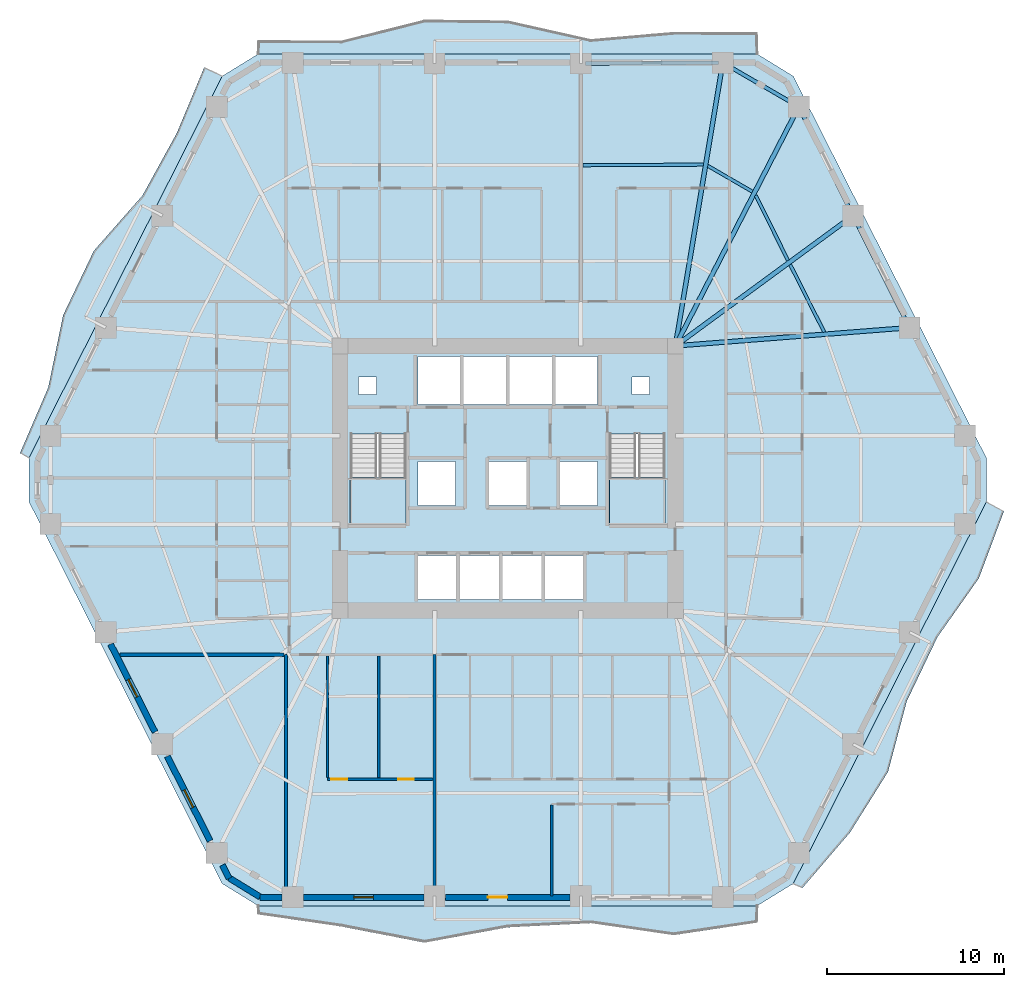
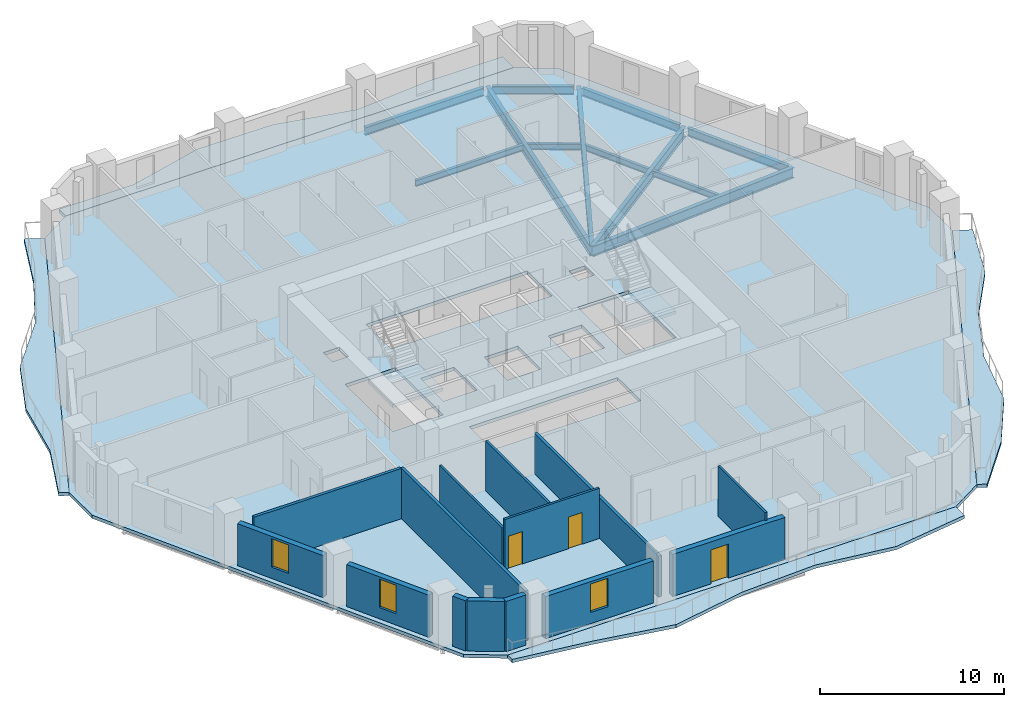
# One storey, part 3 of 12: 14 walls, 12 beams, 7 slabs, 3 doors, 3 windows, 6 openings, 2 elements without a shape of their own.
"""IFC4 building model written with IfcOpenShell, lengths in metres."""

from ifc_helpers import new_model, si_unit, direction, frame, frame_2d, origin, origin_2d, place, context, subcontext, project, spatial, polyline, rectangle, i_section, outline, extrude, material, layer, layer_set, material_profile, profile_set, type_object, element, fill, aggregate, save


model = new_model("IFC4")

# Units and contexts
model_context = context("Model", 3, precision=1e-05, world=origin(), true_north=direction((0.0, 1.0)))
body_context = subcontext(model_context, "Body", "Model", "MODEL_VIEW")
ifc_project = project(units=[si_unit("LENGTHUNIT", "METRE"), si_unit("AREAUNIT", "SQUARE_METRE"), si_unit("VOLUMEUNIT", "CUBIC_METRE"), si_unit("PLANEANGLEUNIT", "RADIAN"), si_unit("MASSUNIT", "GRAM", prefix="KILO")], contexts=[model_context])

# Site, building, storey
site_placement = place(None, origin())
site = spatial("IfcSite", under=ifc_project, at=site_placement, CompositionType="ELEMENT")
building_placement = place(site_placement, origin())
building = spatial("IfcBuilding", under=site, at=building_placement, Name="Cinnabar Lancet Tower", CompositionType="ELEMENT")
storey_placement = place(building_placement, frame((0.0, 0.0, 28.449951171875)))
storey = spatial("IfcBuildingStorey", under=building, at=storey_placement, Name="L06", CompositionType="ELEMENT", Elevation=28.449951171875)

# Beams
ifc_material_1 = material(Name="Structural steel S355", Category="steel")
ifc_material_profile_1 = material_profile(ifc_material_1, i_section(OverallWidth=0.177978515625, OverallDepth=0.406494140625, WebThickness=0.0078125, FlangeThickness=0.0126953125, FilletRadius=0.01025390625, at=origin_2d()), Name="UKB 406x178x60")
ifc_profile_set_1 = profile_set([ifc_material_profile_1], Name="Structural steel S355")
beam_type_1 = type_object("IfcBeamType", Name="STR-BM-JST-406", PredefinedType="JOIST", material=ifc_profile_set_1)
beam_1_placement = place(storey_placement, frame((50.23388671875, 34.132080078125, -0.4228515625), z_axis=(-0.450856172856, 0.8925966118, 0.0), x_axis=(-0.8925966118, -0.450856172856, 0.0)))
element("IfcBeam", 1, at=beam_1_placement, inside=storey, type_object=beam_type_1, Name="L06 Secondary Floor Joist 27", PredefinedType="JOIST", context=body_context, shape_type="SweptSolid", body=[
    extrude(i_section(OverallWidth=0.177978515625, OverallDepth=0.406494140625, WebThickness=0.0078125, FlangeThickness=0.0126953125, FilletRadius=0.01025390625, at=origin_2d()), origin(), (0.0, 0.0, 1.0), 4.25830078125),
])
beam_2_placement = place(storey_placement, frame((48.197998046875, 38.1630859375, -0.4228515625), z_axis=(-0.445641523434, 0.895211501597, 0.0), x_axis=(-0.895211501597, -0.445641523434, 0.0)))
element("IfcBeam", 2, at=beam_2_placement, inside=storey, type_object=beam_type_1, Name="L06 Secondary Floor Joist 29", PredefinedType="JOIST", context=body_context, shape_type="SweptSolid", body=[
    extrude(i_section(OverallWidth=0.177978515625, OverallDepth=0.406494140625, WebThickness=0.0078125, FlangeThickness=0.0126953125, FilletRadius=0.01025390625, at=origin_2d()), origin(), (0.0, 0.0, 1.0), 4.1015625),
])
beam_3_placement = place(storey_placement, frame((46.18994140625, 42.0390625, -0.4228515625), z_axis=(-0.865209684948, 0.501410212373, 0.0), x_axis=(-0.501410212373, -0.865209684948, 0.0)))
element("IfcBeam", 3, at=beam_3_placement, inside=storey, type_object=beam_type_1, Name="L06 Secondary Floor Joist 31", PredefinedType="JOIST", context=body_context, shape_type="SweptSolid", body=[
    extrude(i_section(OverallWidth=0.177978515625, OverallDepth=0.406494140625, WebThickness=0.0078125, FlangeThickness=0.0126953125, FilletRadius=0.01025390625, at=origin_2d()), origin(), (0.0, 0.0, 1.0), 2.90771484375),
])
beam_4_placement = place(storey_placement, frame((43.427978515625, 43.56396484375, -0.4228515625), z_axis=(-0.999988871223, -0.004717778015, 0.0), x_axis=(0.004717778015, -0.999988871223, 0.0)))
element("IfcBeam", 4, at=beam_4_placement, inside=storey, type_object=beam_type_1, Name="L06 Secondary Floor Joist 33", PredefinedType="JOIST", context=body_context, shape_type="SweptSolid", body=[
    extrude(i_section(OverallWidth=0.177978515625, OverallDepth=0.406494140625, WebThickness=0.0078125, FlangeThickness=0.0126953125, FilletRadius=0.01025390625, at=origin_2d()), origin(), (0.0, 0.0, 1.0), 6.779052734375),
])
ifc_material_2 = material(Name="Structural steel S355", Category="steel")
ifc_material_profile_2 = material_profile(ifc_material_2, i_section(OverallWidth=0.209228515625, OverallDepth=0.533203125, WebThickness=0.010009765625, FlangeThickness=0.015625, FilletRadius=0.0126953125, at=origin_2d()), Name="UKB 533x210x92")
ifc_profile_set_2 = profile_set([ifc_material_profile_2], Name="Structural steel S355")
beam_type_2 = type_object("IfcBeamType", Name="STR-BM-SPN-533", PredefinedType="SPANDREL", material=ifc_profile_set_2)
beam_5_placement = place(storey_placement, frame((54.93310546875, 34.60302734375, -0.487060546875), z_axis=(-0.450703143926, 0.892673891214, 0.0), x_axis=(-0.892673891214, -0.450703143926, 0.0)))
element("IfcBeam", 5, at=beam_5_placement, inside=storey, type_object=beam_type_2, Name="L06 Perimeter Spandrel 10", PredefinedType="SPANDREL", context=body_context, shape_type="SweptSolid", body=[
    extrude(i_section(OverallWidth=0.209228515625, OverallDepth=0.533203125, WebThickness=0.010009765625, FlangeThickness=0.015625, FilletRadius=0.0126953125, at=origin_2d()), origin(), (0.0, 0.0, 1.0), 6.570068359375),
])
beam_6_placement = place(storey_placement, frame((51.748046875, 40.9150390625, -0.487060546875), z_axis=(-0.445953050023, 0.89505635419, 0.0), x_axis=(-0.89505635419, -0.445953050023, 0.0)))
element("IfcBeam", 6, at=beam_6_placement, inside=storey, type_object=beam_type_2, Name="L06 Perimeter Spandrel 11", PredefinedType="SPANDREL", context=body_context, shape_type="SweptSolid", body=[
    extrude(i_section(OverallWidth=0.209228515625, OverallDepth=0.533203125, WebThickness=0.010009765625, FlangeThickness=0.015625, FilletRadius=0.0126953125, at=origin_2d()), origin(), (0.0, 0.0, 1.0), 6.35498046875),
])
beam_7_placement = place(storey_placement, frame((48.5869140625, 46.951904296875, -0.487060546875), z_axis=(-0.865147238596, 0.501517951374, 0.0), x_axis=(-0.501517951374, -0.865147238596, 0.0)))
element("IfcBeam", 7, at=beam_7_placement, inside=storey, type_object=beam_type_2, Name="L06 Perimeter Spandrel 12", PredefinedType="SPANDREL", context=body_context, shape_type="SweptSolid", body=[
    extrude(i_section(OverallWidth=0.209228515625, OverallDepth=0.533203125, WebThickness=0.010009765625, FlangeThickness=0.015625, FilletRadius=0.0126953125, at=origin_2d()), origin(), (0.0, 0.0, 1.0), 4.454833984375),
])
beam_8_placement = place(storey_placement, frame((44.26708984375, 49.30908203125, -0.487060546875), z_axis=(-0.99997856757, -0.006547090947, 0.0), x_axis=(0.006547090947, -0.99997856757, 0.0)))
element("IfcBeam", 8, at=beam_8_placement, inside=storey, type_object=beam_type_2, Name="L06 Perimeter Spandrel 13", PredefinedType="SPANDREL", context=body_context, shape_type="SweptSolid", body=[
    extrude(i_section(OverallWidth=0.209228515625, OverallDepth=0.533203125, WebThickness=0.010009765625, FlangeThickness=0.015625, FilletRadius=0.0126953125, at=origin_2d()), origin(), (0.0, 0.0, 1.0), 7.495361328125),
])
ifc_material_3 = material(Name="Structural steel S355", Category="steel")
ifc_material_profile_3 = material_profile(ifc_material_3, i_section(OverallWidth=0.253662109375, OverallDepth=0.68359375, WebThickness=0.012451171875, FlangeThickness=0.01904296875, FilletRadius=0.01513671875, at=origin_2d()), Name="UKB 686x254x140")
ifc_profile_set_3 = profile_set([ifc_material_profile_3], Name="Structural steel S355")
beam_type_3 = type_object("IfcBeamType", Name="STR-BM-UKB686-140", PredefinedType="BEAM", material=ifc_profile_set_3)
beam_9_placement = place(storey_placement, frame((51.85888671875, 40.69091796875, -0.56201171875), z_axis=(-0.80636497312, -0.591418236213, 0.0), x_axis=(0.591418236213, -0.80636497312, 0.0)))
element("IfcBeam", 9, at=beam_9_placement, inside=storey, type_object=beam_type_3, Name="L06 Corner Collector Girder 3", PredefinedType="BEAM", context=body_context, shape_type="SweptSolid", body=[
    extrude(i_section(OverallWidth=0.253662109375, OverallDepth=0.68359375, WebThickness=0.012451171875, FlangeThickness=0.01904296875, FilletRadius=0.01513671875, at=origin_2d()), origin(), (0.0, 0.0, 1.0), 12.412353515625),
])
beam_10_placement = place(storey_placement, frame((55.0458984375, 34.3798828125, -0.56201171875), z_axis=(-0.99696880683, -0.077802302076, 0.0), x_axis=(0.077802302076, -0.99696880683, 0.0)))
element("IfcBeam", 10, at=beam_10_placement, inside=storey, type_object=beam_type_3, Name="L06 Primary Floor Girder 10", PredefinedType="BEAM", context=body_context, shape_type="SweptSolid", body=[
    extrude(i_section(OverallWidth=0.253662109375, OverallDepth=0.68359375, WebThickness=0.012451171875, FlangeThickness=0.01904296875, FilletRadius=0.01513671875, at=origin_2d()), origin(), (0.0, 0.0, 1.0), 13.23583984375),
])
beam_11_placement = place(storey_placement, frame((48.802978515625, 46.826904296875, -0.56201171875), z_axis=(-0.458492410387, -0.888698323177, 0.0), x_axis=(0.888698323177, -0.458492410387, 0.0)))
element("IfcBeam", 11, at=beam_11_placement, inside=storey, type_object=beam_type_3, Name="L06 Primary Floor Girder 12", PredefinedType="BEAM", context=body_context, shape_type="SweptSolid", body=[
    extrude(i_section(OverallWidth=0.253662109375, OverallDepth=0.68359375, WebThickness=0.012451171875, FlangeThickness=0.01904296875, FilletRadius=0.01513671875, at=origin_2d()), origin(), (0.0, 0.0, 1.0), 15.16455078125),
])
beam_12_placement = place(storey_placement, frame((44.51708984375, 49.31103515625, -0.56201171875), z_axis=(-0.164809990854, -0.986325335229, 0.0), x_axis=(0.986325335229, -0.164809990854, 0.0)))
element("IfcBeam", 12, at=beam_12_placement, inside=storey, type_object=beam_type_3, Name="L06 Primary Floor Girder 13", PredefinedType="BEAM", context=body_context, shape_type="SweptSolid", body=[
    extrude(i_section(OverallWidth=0.253662109375, OverallDepth=0.68359375, WebThickness=0.012451171875, FlangeThickness=0.01904296875, FilletRadius=0.01513671875, at=origin_2d()), origin(), (0.0, 0.0, 1.0), 16.18212890625),
])

# Stair, slab
ifc_material_4 = material(Name="Concrete C40/50", Category="concrete")
stair_type = type_object("IfcStairType", Name="ST-CORE", PredefinedType="HALF_TURN_STAIR", material=ifc_material_4)
stair_1_placement = place(storey_placement, origin())
stair_1 = element("IfcStair", 13, at=stair_1_placement, inside=storey, type_object=stair_type, Name="L06 ST-1", PredefinedType="HALF_TURN_STAIR")
ifc_material_5 = material(Name="Concrete C40/50", Category="concrete")
ifc_layer_1 = layer(ifc_material_5, 0.199951171875)
ifc_layer_set_1 = layer_set([ifc_layer_1], Name="Concrete C40/50")
slab_type_1 = type_object("IfcSlabType", Name="LANDING-CORE", PredefinedType="LANDING", material=ifc_layer_set_1)
slab_1_placement = place(storey_placement, frame((0.0, 0.0, 1.574951171875)))
slab_1 = element("IfcSlab", 14, at=slab_1_placement, type_object=slab_type_1, Name="ST-1 landing 1", PredefinedType="LANDING", context=body_context, shape_type="SweptSolid", body=[
    extrude(outline(polyline([(23.52490234375, 25.925048828125), (23.52490234375, 23.25), (26.675048828125, 23.25), (26.675048828125, 25.925048828125), (23.52490234375, 25.925048828125)])), origin(), (0.0, 0.0, 1.0), 0.2001953125),
])
aggregate(stair_1, [slab_1])

stair_2_placement = place(storey_placement, origin())
stair_2 = element("IfcStair", 15, at=stair_2_placement, inside=storey, type_object=stair_type, Name="L06 ST-2", PredefinedType="HALF_TURN_STAIR")
slab_2_placement = place(storey_placement, frame((0.0, 0.0, 1.574951171875)))
slab_2 = element("IfcSlab", 16, at=slab_2_placement, type_object=slab_type_1, Name="ST-2 landing 1", PredefinedType="LANDING", context=body_context, shape_type="SweptSolid", body=[
    extrude(outline(polyline([(38.125, 25.925048828125), (38.125, 23.25), (41.27490234375, 23.25), (41.27490234375, 25.925048828125), (38.125, 25.925048828125)])), origin(), (0.0, 0.0, 1.0), 0.2001953125),
])
aggregate(stair_2, [slab_2])

# Slabs
ifc_material_6 = material(Name="Concrete C40/50", Category="concrete")
ifc_layer_2 = layer(ifc_material_6, 0.219970703125)
ifc_layer_set_2 = layer_set([ifc_layer_2], Name="Concrete C40/50")
slab_type_2 = type_object("IfcSlabType", Name="STR-SLB-FLR-220", PredefinedType="FLOOR", material=ifc_layer_set_2)
slab_3_placement = place(storey_placement, frame((0.0, 0.0, -0.219970703125)))
element("IfcSlab", 17, at=slab_3_placement, inside=storey, type_object=slab_type_2, Name="L06 Structural Floor Slab", PredefinedType="FLOOR", context=body_context, shape_type="SweptSolid", body=[
    extrude(outline(polyline([(16.31201171875, 3.049072265625), (18.343994140625, 1.800048828125), (46.4560546875, 1.800048828125), (48.488037109375, 3.049072265625), (59.367919921875, 24.551025390625), (59.367919921875, 27.049072265625), (48.488037109375, 48.551025390625), (46.4560546875, 49.800048828125), (18.343994140625, 49.800048828125), (16.31201171875, 48.551025390625), (5.431884765625, 27.049072265625), (5.431884765625, 24.551025390625), (16.31201171875, 3.049072265625)]), holes=[polyline([(23.52490234375, 23.25), (26.675048828125, 23.25), (26.675048828125, 28.3994140625), (23.52490234375, 28.3994140625), (23.52490234375, 23.25)]), polyline([(38.125, 23.25), (41.27490234375, 23.25), (41.27490234375, 28.3994140625), (38.125, 28.3994140625), (38.125, 23.25)]), polyline([(27.35009765625, 30.050048828125), (37.449951171875, 30.050048828125), (37.449951171875, 32.75), (27.35009765625, 32.75), (27.35009765625, 30.050048828125)]), polyline([(27.35009765625, 19.050048828125), (36.64990234375, 19.050048828125), (36.64990234375, 21.550048828125), (27.35009765625, 21.550048828125), (27.35009765625, 19.050048828125)]), polyline([(27.35009765625, 24.35009765625), (29.449951171875, 24.35009765625), (29.449951171875, 26.85009765625), (27.35009765625, 26.85009765625), (27.35009765625, 24.35009765625)]), polyline([(35.35009765625, 24.35009765625), (37.449951171875, 24.35009765625), (37.449951171875, 26.85009765625), (35.35009765625, 26.85009765625), (35.35009765625, 24.35009765625)]), polyline([(31.35009765625, 24.35009765625), (33.449951171875, 24.35009765625), (33.449951171875, 26.85009765625), (31.35009765625, 26.85009765625), (31.35009765625, 24.35009765625)]), polyline([(24.0, 30.60009765625), (25.0, 30.60009765625), (25.0, 31.60009765625), (24.0, 31.60009765625), (24.0, 30.60009765625)]), polyline([(39.39990234375, 30.60009765625), (40.39990234375, 30.60009765625), (40.39990234375, 31.60009765625), (39.39990234375, 31.60009765625), (39.39990234375, 30.60009765625)])]), origin(), (0.0, 0.0, 1.0), 0.219970703125),
])
ifc_material_7 = material(Name="Concrete C45/55", Category="concrete")
ifc_layer_3 = layer(ifc_material_7, 0.219970703125)
ifc_layer_set_3 = layer_set([ifc_layer_3], Name="Concrete C45/55")
slab_type_3 = type_object("IfcSlabType", Name="STR-SLB-WAV-220", PredefinedType="FLOOR", material=ifc_layer_set_3)
slab_4_placement = place(storey_placement, frame((0.0, 0.0, -0.219970703125)))
element("IfcSlab", 18, at=slab_4_placement, inside=storey, type_object=slab_type_3, Name="L06 Face 1 Undulating Wave Balcony Slab", PredefinedType="FLOOR", context=body_context, shape_type="SweptSolid", body=[
    extrude(outline(polyline([(18.343994140625, 1.800048828125), (18.343994140625, 1.31396484375), (23.029052734375, 0.631103515625), (27.715087890625, -0.277099609375), (32.39990234375, 0.5869140625), (37.0849609375, 0.822021484375), (41.77099609375, 0.14892578125), (46.4560546875, 0.85302734375), (46.4560546875, 1.800048828125), (18.343994140625, 1.800048828125)])), origin(), (0.0, 0.0, 1.0), 0.219970703125),
])
slab_5_placement = place(storey_placement, frame((0.0, 0.0, -0.219970703125)))
element("IfcSlab", 19, at=slab_5_placement, inside=storey, type_object=slab_type_3, Name="L06 Face 2 Undulating Wave Balcony Slab", PredefinedType="FLOOR", context=body_context, shape_type="SweptSolid", body=[
    extrude(outline(polyline([(48.488037109375, 3.049072265625), (48.991943359375, 2.7939453125), (51.68603515625, 5.931884765625), (53.8291015625, 9.34912109375), (54.881103515625, 13.318115234375), (56.612060546875, 16.943115234375), (58.948974609375, 20.261962890625), (60.364990234375, 24.0458984375), (59.367919921875, 24.551025390625), (48.488037109375, 3.049072265625)])), origin(), (0.0, 0.0, 1.0), 0.219970703125),
])
slab_6_placement = place(storey_placement, frame((0.0, 0.0, -0.219970703125)))
element("IfcSlab", 20, at=slab_6_placement, inside=storey, type_object=slab_type_3, Name="L06 Face 4 Undulating Wave Balcony Slab", PredefinedType="FLOOR", context=body_context, shape_type="SweptSolid", body=[
    extrude(outline(polyline([(46.4560546875, 49.800048828125), (46.4560546875, 51.007080078125), (41.77099609375, 51.01708984375), (37.0849609375, 50.614990234375), (32.39990234375, 51.6650390625), (27.715087890625, 51.714111328125), (23.029052734375, 50.534912109375), (18.343994140625, 50.544921875), (18.343994140625, 49.800048828125), (46.4560546875, 49.800048828125)])), origin(), (0.0, 0.0, 1.0), 0.219970703125),
])
slab_7_placement = place(storey_placement, frame((0.0, 0.0, -0.219970703125)))
element("IfcSlab", 21, at=slab_7_placement, inside=storey, type_object=slab_type_3, Name="L06 Face 5 Undulating Wave Balcony Slab", PredefinedType="FLOOR", context=body_context, shape_type="SweptSolid", body=[
    extrude(outline(polyline([(16.31201171875, 48.551025390625), (15.305908203125, 49.06005859375), (13.756103515625, 45.343017578125), (11.819091796875, 41.822021484375), (9.0791015625, 38.70703125), (7.34912109375, 35.0810546875), (6.510986328125, 31.00390625), (4.9189453125, 27.30810546875), (5.431884765625, 27.049072265625), (16.31201171875, 48.551025390625)])), origin(), (0.0, 0.0, 1.0), 0.219970703125),
])

# Walls
ifc_material_8 = material(Name="Fire-rated twin-frame acoustic drywall", Category="gypsum")
ifc_layer_4 = layer(ifc_material_8, 0.179931640625)
ifc_layer_set_4 = layer_set([ifc_layer_4], Name="Fire-rated twin-frame acoustic drywall")
wall_type_1 = type_object("IfcWallType", Name="ARC-WL-PARTY-180", PredefinedType="PARTITIONING", material=ifc_layer_set_4)
wall_1_placement = place(storey_placement, frame((19.89990234375, 2.455078125, 0.0), z_axis=(0.0, 0.0, 1.0), x_axis=(0.0, 1.0, 0.0)))
element("IfcWall", 22, at=wall_1_placement, inside=storey, type_object=wall_type_1, Name="PW-L06-SPTY-199", PredefinedType="PARTITIONING", context=body_context, shape_type="SweptSolid", body=[
    extrude(rectangle(XDim=13.494873046875, YDim=0.179931640625, at=frame_2d((6.74755859375, 0.0))), origin(), (0.0, 0.0, 1.0), 3.330078125),
])
wall_2_placement = place(storey_placement, frame((28.278076171875, 2.455078125, 0.0), z_axis=(0.0, 0.0, 1.0), x_axis=(0.0, 1.0, 0.0)))
element("IfcWall", 23, at=wall_2_placement, inside=storey, type_object=wall_type_1, Name="PW-L06-SPTY-283", PredefinedType="PARTITIONING", context=body_context, shape_type="SweptSolid", body=[
    extrude(rectangle(XDim=13.494873046875, YDim=0.179931640625, at=frame_2d((6.74755859375, 0.0))), origin(), (0.0, 0.0, 1.0), 2.699951171875),
])
wall_3_placement = place(storey_placement, frame((10.56396484375, 15.949951171875, 0.0), z_axis=(0.0, 0.0, 1.0), x_axis=(1.0, 0.0, 0.0)))
element("IfcWall", 24, at=wall_3_placement, inside=storey, type_object=wall_type_1, Name="PW-L06-WSB", PredefinedType="PARTITIONING", context=body_context, shape_type="SweptSolid", body=[
    extrude(rectangle(XDim=9.240966796875, YDim=0.179931640625, at=frame_2d((4.62060546875, 0.0))), origin(), (0.0, 0.0, 1.0), 3.330078125),
])
ifc_material_9 = material(Name="Gypsum plasterboard stud partition", Category="gypsum")
ifc_layer_5 = layer(ifc_material_9, 0.125)
ifc_layer_set_5 = layer_set([ifc_layer_5], Name="Gypsum plasterboard stud partition")
wall_type_2 = type_object("IfcWallType", Name="ARC-WL-UNIT-125", PredefinedType="PARTITIONING", material=ifc_layer_set_5)
wall_4_placement = place(storey_placement, frame((22.25, 9.0380859375, 0.0), z_axis=(0.0, 0.0, 1.0), x_axis=(0.0, 1.0, 0.0)))
element("IfcWall", 25, at=wall_4_placement, inside=storey, type_object=wall_type_2, Name="UW-L06-S01-FOYE", PredefinedType="PARTITIONING", context=body_context, shape_type="SweptSolid", body=[
    extrude(rectangle(XDim=6.826904296875, YDim=0.125, at=frame_2d((3.41357421875, 0.0))), origin(), (0.0, 0.0, 1.0), 2.699951171875),
])
wall_5_placement = place(storey_placement, frame((34.8779296875, 2.364990234375, 0.0), z_axis=(0.0, 0.0, 1.0), x_axis=(0.0, 1.0, 0.0)))
element("IfcWall", 26, at=wall_5_placement, inside=storey, type_object=wall_type_2, Name="UW-L06-S02-BD2W", PredefinedType="PARTITIONING", context=body_context, shape_type="SweptSolid", body=[
    extrude(rectangle(XDim=5.10302734375, YDim=0.125, at=frame_2d((2.551513671875, 0.0))), origin(), (0.0, 0.0, 1.0), 3.330078125),
])

# Wall, openings, doors
ifc_material_10 = material(Name="Moisture-resistant cement-board plumbing wall", Category="masonry")
ifc_layer_6 = layer(ifc_material_10, 0.139892578125)
ifc_layer_set_6 = layer_set([ifc_layer_6], Name="Moisture-resistant cement-board plumbing wall")
wall_type_3 = type_object("IfcWallType", Name="ARC-WL-WET-140", PredefinedType="PLUMBINGWALL", material=ifc_layer_set_6)
wall_6_placement = place(storey_placement, frame((22.25, 8.93310546875, 0.0), z_axis=(0.0, 0.0, 1.0), x_axis=(1.0, 0.0, 0.0)))
wall_6 = element("IfcWall", 27, at=wall_6_placement, inside=storey, type_object=wall_type_3, Name="UW-L06-S01-SPL", PredefinedType="PLUMBINGWALL", context=body_context, shape_type="SweptSolid", body=[
    extrude(rectangle(XDim=5.93310546875, YDim=0.139892578125, at=frame_2d((2.966552734375, 0.0))), origin(), (0.0, 0.0, 1.0), 3.330078125),
])
opening_1_placement = place(wall_6_placement, frame((3.988037109375, 0.0, 0.0)))
opening_1 = element("IfcOpeningElement", 28, at=opening_1_placement, cuts=wall_6, Name="Opening BD-01", PredefinedType="OPENING", context=body_context, shape_type="SweptSolid", body=[
    extrude(rectangle(XDim=0.860107421875, YDim=2.10009765625, at=frame_2d((0.43017578125, 1.050048828125))), frame((0.0, 0.079833984375, 0.0), z_axis=(0.0, -1.0, 0.0), x_axis=(1.0, 0.0, 0.0)), (0.0, 0.0, 1.0), 0.159912109375),
])
opening_2_placement = place(wall_6_placement, frame((0.219970703125, 0.0, 0.0)))
opening_2 = element("IfcOpeningElement", 29, at=opening_2_placement, cuts=wall_6, Name="Opening RD-02", PredefinedType="OPENING", context=body_context, shape_type="SweptSolid", body=[
    extrude(rectangle(XDim=0.8798828125, YDim=2.14990234375, at=frame_2d((0.43994140625, 1.074951171875))), frame((0.0, 0.079833984375, 0.0), z_axis=(0.0, -1.0, 0.0), x_axis=(1.0, 0.0, 0.0)), (0.0, 0.0, 1.0), 0.159912109375),
])
ifc_material_11 = material(Name="Moisture-resistant timber bathroom door", Category="wood")
door_type_1 = type_object("IfcDoorType", Name="ARC-DR-BATH", OperationType="NOTDEFINED", PredefinedType="DOOR", material=ifc_material_11)
door_1_placement = place(opening_1_placement, origin())
door_1 = element("IfcDoor", 30, at=door_1_placement, inside=storey, type_object=door_type_1, Name="DR-L06-S01-BTH", OperationType="SINGLE_SWING_RIGHT", OverallHeight=2.10009765625, OverallWidth=0.860107421875, PredefinedType="DOOR", context=body_context, shape_type="SweptSolid", body=[
    extrude(rectangle(XDim=0.860107421875, YDim=2.10009765625, at=frame_2d((0.43017578125, 1.050048828125))), frame((0.0, 0.02490234375, 0.0), z_axis=(0.0, -1.0, 0.0), x_axis=(1.0, 0.0, 0.0)), (0.0, 0.0, 1.0), 0.050048828125),
])
fill(opening_1, door_1)
ifc_material_12 = material(Name="Engineered timber study door", Category="wood")
door_type_2 = type_object("IfcDoorType", Name="ARC-DR-STUDY", OperationType="NOTDEFINED", PredefinedType="DOOR", material=ifc_material_12)
door_2_placement = place(opening_2_placement, origin())
door_2 = element("IfcDoor", 31, at=door_2_placement, inside=storey, type_object=door_type_2, Name="DR-L06-S01-KIT", OperationType="SINGLE_SWING_LEFT", OverallHeight=2.14990234375, OverallWidth=0.8798828125, PredefinedType="DOOR", context=body_context, shape_type="SweptSolid", body=[
    extrude(rectangle(XDim=0.8798828125, YDim=2.14990234375, at=frame_2d((0.43994140625, 1.074951171875))), frame((0.0, 0.02490234375, 0.0), z_axis=(0.0, -1.0, 0.0), x_axis=(1.0, 0.0, 0.0)), (0.0, 0.0, 1.0), 0.050048828125),
])
fill(opening_2, door_2)

# Walls
wall_7_placement = place(storey_placement, frame((25.14306640625, 9.0380859375, 0.0), z_axis=(0.0, 0.0, 1.0), x_axis=(0.0, 1.0, 0.0)))
element("IfcWall", 32, at=wall_7_placement, inside=storey, type_object=wall_type_3, Name="UW-L06-S01-KDV", PredefinedType="PLUMBINGWALL", context=body_context, shape_type="SweptSolid", body=[
    extrude(rectangle(XDim=6.826904296875, YDim=0.139892578125, at=frame_2d((3.41357421875, 0.0))), origin(), (0.0, 0.0, 1.0), 3.330078125),
])
ifc_material_13 = material(Name="Cinnabar red clay brick", Category="masonry")
ifc_layer_7 = layer(ifc_material_13, 0.340087890625)
ifc_layer_set_7 = layer_set([ifc_layer_7], Name="Cinnabar red clay brick")
wall_type_4 = type_object("IfcWallType", Name="ENV-WL-BRK-RED-340", PredefinedType="STANDARD", material=ifc_layer_set_7)
wall_8_placement = place(storey_placement, frame((16.719970703125, 3.362060546875, 0.0), z_axis=(0.0, 0.0, 1.0), x_axis=(0.851816122478, -0.523840904748, 0.0)))
element("IfcWall", 33, at=wall_8_placement, inside=storey, type_object=wall_type_4, Name="L06 Chamfered Corner Brick Pier 1.1", PredefinedType="STANDARD", context=body_context, shape_type="SweptSolid", body=[
    extrude(rectangle(XDim=2.01806640625, YDim=0.340087890625, at=frame_2d((1.009033203125, 0.0))), origin(), (0.0, 0.0, 1.0), 3.330078125),
])
wall_9_placement = place(storey_placement, frame((18.43408203125, 2.280029296875, 0.0), z_axis=(0.0, 0.0, 1.0), x_axis=(1.0, 0.0, 0.0)))
element("IfcWall", 34, at=wall_9_placement, inside=storey, type_object=wall_type_4, Name="L06 Face 1 Masonry Bay Wall 1", PredefinedType="STANDARD", context=body_context, shape_type="SweptSolid", body=[
    extrude(rectangle(XDim=1.244873046875, YDim=0.340087890625, at=frame_2d((0.62255859375, 0.0))), origin(), (0.0, 0.0, 1.0), 3.330078125),
])

# Wall, opening, window
wall_10_placement = place(storey_placement, frame((20.886962890625, 2.280029296875, 0.0), z_axis=(0.0, 0.0, 1.0), x_axis=(1.0, 0.0, 0.0)))
wall_10 = element("IfcWall", 35, at=wall_10_placement, inside=storey, type_object=wall_type_4, Name="L06 Face 1 Masonry Bay Wall 2", PredefinedType="STANDARD", context=body_context, shape_type="SweptSolid", body=[
    extrude(rectangle(XDim=6.787109375, YDim=0.340087890625, at=frame_2d((3.3935546875, 0.0))), origin(), (0.0, 0.0, 1.0), 2.787109375),
])
opening_3_placement = place(wall_10_placement, frame((2.843017578125, 0.0, 0.75)))
opening_3 = element("IfcOpeningElement", 36, at=opening_3_placement, cuts=wall_10, Name="Opening WN-04", PredefinedType="OPENING", context=body_context, shape_type="SweptSolid", body=[
    extrude(rectangle(XDim=1.10009765625, YDim=1.886962890625, at=frame_2d((0.550048828125, 0.943359375))), frame((0.0, 0.179931640625, 0.0), z_axis=(0.0, -1.0, 0.0), x_axis=(1.0, 0.0, 0.0)), (0.0, 0.0, 1.0), 0.360107421875),
])
ifc_material_14 = material(Name="Thermally broken bronze-anodized aluminium tall lancet window", Category="aluminium")
window_type = type_object("IfcWindowType", Name="ENV-WN-LANCET-1100", PartitioningType="SINGLE_PANEL", PredefinedType="WINDOW", material=ifc_material_14)
window_1_placement = place(opening_3_placement, origin())
window_1 = element("IfcWindow", 37, at=window_1_placement, inside=storey, type_object=window_type, Name="L06 Face 1 Gothic Lancet Window 2", OverallHeight=1.886962890625, OverallWidth=1.10009765625, PartitioningType="SINGLE_PANEL", PredefinedType="WINDOW", context=body_context, shape_type="SweptSolid", body=[
    extrude(rectangle(XDim=1.10009765625, YDim=1.886962890625, at=frame_2d((0.550048828125, 0.943359375))), frame((0.0, 0.030029296875, 0.0), z_axis=(0.0, -1.0, 0.0), x_axis=(1.0, 0.0, 0.0)), (0.0, 0.0, 1.0), 0.06005859375),
])
fill(opening_3, window_1)

# Wall, opening, door
wall_11_placement = place(storey_placement, frame((28.882080078125, 2.280029296875, 0.0), z_axis=(0.0, 0.0, 1.0), x_axis=(1.0, 0.0, 0.0)))
wall_11 = element("IfcWall", 38, at=wall_11_placement, inside=storey, type_object=wall_type_4, Name="L06 Face 1 Masonry Bay Wall 3", PredefinedType="STANDARD", context=body_context, shape_type="SweptSolid", body=[
    extrude(rectangle(XDim=7.035888671875, YDim=0.340087890625, at=frame_2d((3.51806640625, 0.0))), origin(), (0.0, 0.0, 1.0), 2.787109375),
])
opening_4_placement = place(wall_11_placement, frame((2.39697265625, 0.0, 0.0)))
opening_4 = element("IfcOpeningElement", 39, at=opening_4_placement, cuts=wall_11, Name="Opening TD-01", PredefinedType="OPENING", context=body_context, shape_type="SweptSolid", body=[
    extrude(rectangle(XDim=1.10009765625, YDim=2.25, at=frame_2d((0.550048828125, 1.125))), frame((0.0, 0.179931640625, 0.0), z_axis=(0.0, -1.0, 0.0), x_axis=(1.0, 0.0, 0.0)), (0.0, 0.0, 1.0), 0.360107421875),
])
ifc_material_15 = material(Name="Thermally broken low-E glazed balcony terrace door", Category="wood")
door_type_3 = type_object("IfcDoorType", Name="ARC-DR-BALC", OperationType="NOTDEFINED", PredefinedType="DOOR", material=ifc_material_15)
door_3_placement = place(opening_4_placement, origin())
door_3 = element("IfcDoor", 40, at=door_3_placement, inside=storey, type_object=door_type_3, Name="L06 Face 1 Glazed Terrace Door", OperationType="SINGLE_SWING_RIGHT", OverallHeight=2.25, OverallWidth=1.10009765625, PredefinedType="DOOR", context=body_context, shape_type="SweptSolid", body=[
    extrude(rectangle(XDim=1.10009765625, YDim=2.25, at=frame_2d((0.550048828125, 1.125))), frame((0.0, 0.02490234375, 0.0), z_axis=(0.0, -1.0, 0.0), x_axis=(1.0, 0.0, 0.0)), (0.0, 0.0, 1.0), 0.050048828125),
])
fill(opening_4, door_3)

# Wall, opening, window
wall_12_placement = place(storey_placement, frame((10.02392578125, 16.5390625, 0.0), z_axis=(0.0, 0.0, 1.0), x_axis=(0.451627137896, -0.892206774417, 0.0)))
wall_12 = element("IfcWall", 41, at=wall_12_placement, inside=storey, type_object=wall_type_4, Name="L06 Face 6 Masonry Bay Wall 3", PredefinedType="STANDARD", context=body_context, shape_type="SweptSolid", body=[
    extrude(rectangle(XDim=5.546875, YDim=0.340087890625, at=frame_2d((2.7734375, 0.0))), origin(), (0.0, 0.0, 1.0), 2.787109375),
])
opening_5_placement = place(wall_12_placement, frame((2.222900390625, 0.0, 0.75)))
opening_5 = element("IfcOpeningElement", 42, at=opening_5_placement, cuts=wall_12, Name="Opening WN-04", PredefinedType="OPENING", context=body_context, shape_type="SweptSolid", body=[
    extrude(rectangle(XDim=1.10009765625, YDim=1.886962890625, at=frame_2d((0.550048828125, 0.943359375))), frame((0.0, 0.179931640625, 0.0), z_axis=(0.0, -1.0, 0.0), x_axis=(1.0, 0.0, 0.0)), (0.0, 0.0, 1.0), 0.360107421875),
])
window_2_placement = place(opening_5_placement, origin())
window_2 = element("IfcWindow", 43, at=window_2_placement, inside=storey, type_object=window_type, Name="L06 Face 6 Gothic Lancet Window 3", OverallHeight=1.886962890625, OverallWidth=1.10009765625, PartitioningType="SINGLE_PANEL", PredefinedType="WINDOW", context=body_context, shape_type="SweptSolid", body=[
    extrude(rectangle(XDim=1.10009765625, YDim=1.886962890625, at=frame_2d((0.550048828125, 0.943359375))), frame((0.0, 0.030029296875, 0.0), z_axis=(0.0, -1.0, 0.0), x_axis=(1.0, 0.0, 0.0)), (0.0, 0.0, 1.0), 0.06005859375),
])
fill(opening_5, window_2)

wall_13_placement = place(storey_placement, frame((13.217041015625, 10.22802734375, 0.0), z_axis=(0.0, 0.0, 1.0), x_axis=(0.451697561555, -0.892171123095, 0.0)))
wall_13 = element("IfcWall", 44, at=wall_13_placement, inside=storey, type_object=wall_type_4, Name="L06 Face 6 Masonry Bay Wall 4", PredefinedType="STANDARD", context=body_context, shape_type="SweptSolid", body=[
    extrude(rectangle(XDim=5.350830078125, YDim=0.340087890625, at=frame_2d((2.67529296875, 0.0))), origin(), (0.0, 0.0, 1.0), 2.787109375),
])
opening_6_placement = place(wall_13_placement, frame((2.125, 0.0, 0.75)))
opening_6 = element("IfcOpeningElement", 45, at=opening_6_placement, cuts=wall_13, Name="Opening WN-04", PredefinedType="OPENING", context=body_context, shape_type="SweptSolid", body=[
    extrude(rectangle(XDim=1.10009765625, YDim=1.886962890625, at=frame_2d((0.550048828125, 0.943359375))), frame((0.0, 0.179931640625, 0.0), z_axis=(0.0, -1.0, 0.0), x_axis=(1.0, 0.0, 0.0)), (0.0, 0.0, 1.0), 0.360107421875),
])
window_3_placement = place(opening_6_placement, origin())
window_3 = element("IfcWindow", 46, at=window_3_placement, inside=storey, type_object=window_type, Name="L06 Face 6 Gothic Lancet Window 4", OverallHeight=1.886962890625, OverallWidth=1.10009765625, PartitioningType="SINGLE_PANEL", PredefinedType="WINDOW", context=body_context, shape_type="SweptSolid", body=[
    extrude(rectangle(XDim=1.10009765625, YDim=1.886962890625, at=frame_2d((0.550048828125, 0.943359375))), frame((0.0, 0.030029296875, 0.0), z_axis=(0.0, -1.0, 0.0), x_axis=(1.0, 0.0, 0.0)), (0.0, 0.0, 1.0), 0.06005859375),
])
fill(opening_6, window_3)

# Wall
wall_14_placement = place(storey_placement, frame((16.322021484375, 4.092041015625, 0.0), z_axis=(0.0, 0.0, 1.0), x_axis=(0.45187807258, -0.892079709175, 0.0)))
element("IfcWall", 47, at=wall_14_placement, inside=storey, type_object=wall_type_4, Name="L06 Face 6 Masonry Bay Wall 5", PredefinedType="STANDARD", context=body_context, shape_type="SweptSolid", body=[
    extrude(rectangle(XDim=0.83642578125, YDim=0.340087890625, at=frame_2d((0.418212890625, 0.0))), origin(), (0.0, 0.0, 1.0), 3.330078125),
])

save(model, "model.ifc")
